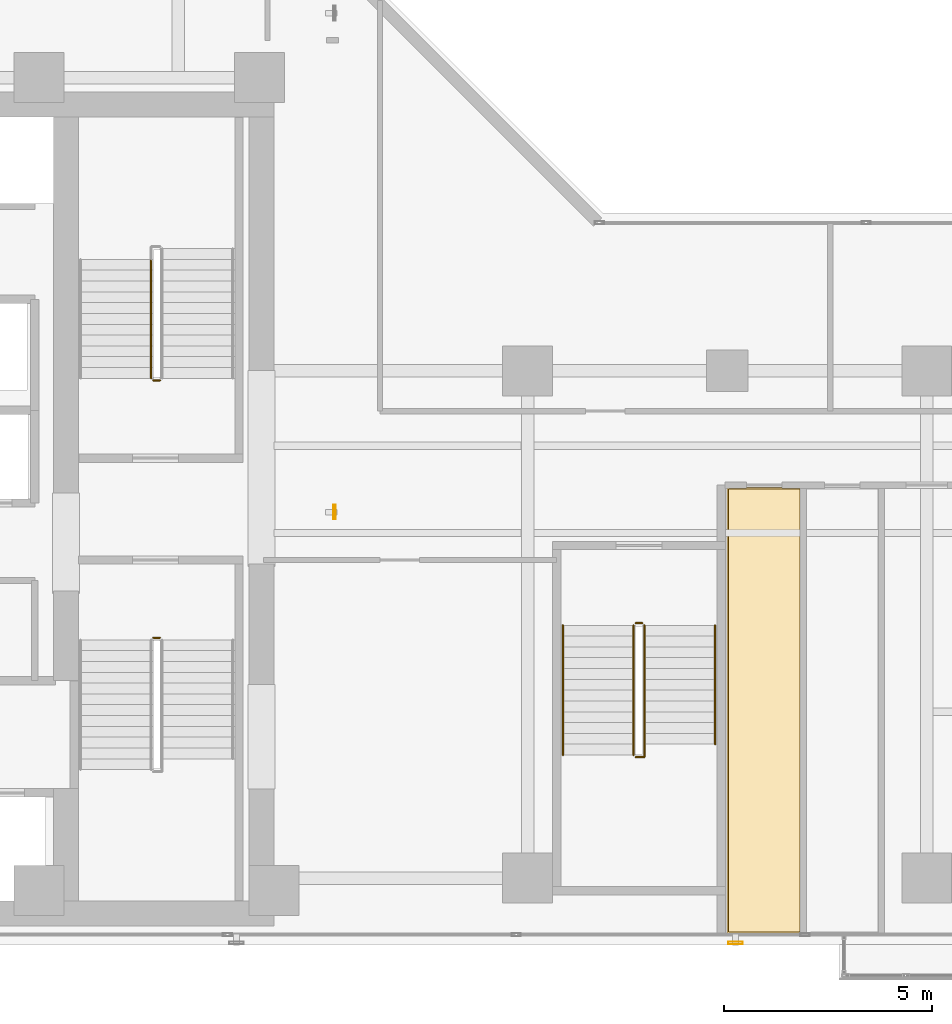
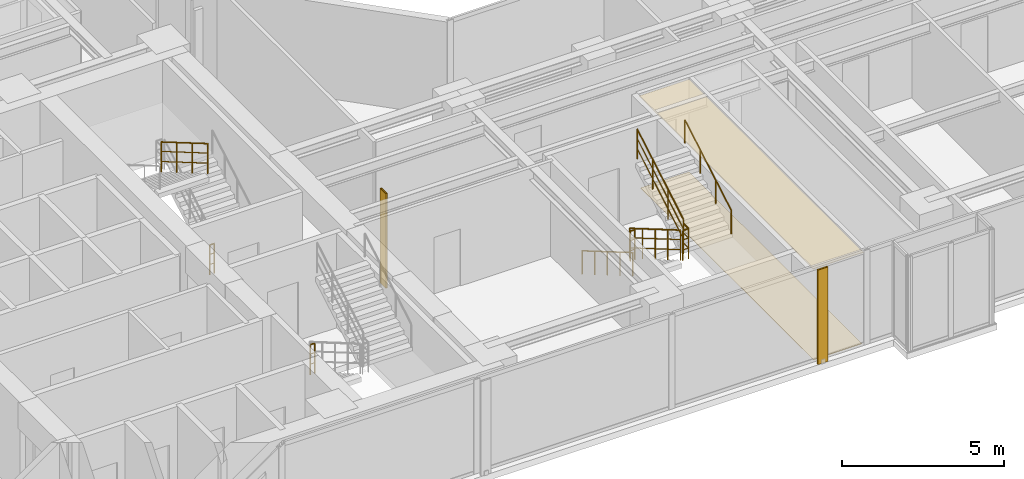
# One storey, part 25 of 28: 9 railings, 2 coverings, 2 shading devices.
"""IFC4 building model written with IfcOpenShell, lengths in metres."""

from ifc_helpers import new_model, si_unit, direction, frame, origin, origin_2d, place, context, subcontext, project, spatial, polyline, hollow_rectangle, circle, outline, extrude, material, layer, layer_set, material_profile, profile_set, type_object, element, save


model = new_model("IFC4")

# Units and contexts
model_context = context("Model", 3, precision=1e-05, world=origin(), true_north=direction((0.0, 1.0)))
body_context = subcontext(model_context, "Body", "Model", "MODEL_VIEW")
ifc_project = project(units=[si_unit("LENGTHUNIT", "METRE"), si_unit("AREAUNIT", "SQUARE_METRE"), si_unit("VOLUMEUNIT", "CUBIC_METRE"), si_unit("PLANEANGLEUNIT", "RADIAN"), si_unit("MASSUNIT", "GRAM", prefix="KILO")], contexts=[model_context])

# Site, building, storey
site_placement = place(None, origin())
site = spatial("IfcSite", under=ifc_project, at=site_placement, CompositionType="ELEMENT")
building_placement = place(site_placement, origin())
building = spatial("IfcBuilding", under=site, at=building_placement, Name="Kolvaren Waterfront Exchange", CompositionType="ELEMENT")
storey_placement = place(building_placement, frame((0.0, 0.0, 146.199951171875)))
storey = spatial("IfcBuildingStorey", under=building, at=storey_placement, Name="L37", CompositionType="ELEMENT", Elevation=146.199951171875)

# Covering
ifc_material_1 = material(Name="Mineral fibre acoustic ceiling tile")
ifc_layer_1 = layer(ifc_material_1, 0.02490234375, Name="Mineral fibre acoustic ceiling tile")
ifc_layer_set_1 = layer_set([ifc_layer_1], Name="Mineral fibre acoustic ceiling tile")
covering_type_1 = type_object("IfcCoveringType", Name="ARC-CEIL-ACOUSTIC-25", PredefinedType="CEILING", material=ifc_layer_set_1)
covering_1_placement = place(storey_placement, frame((0.0, 0.0, 3.445068359375)))
element("IfcCovering", 1, at=covering_1_placement, inside=storey, type_object=covering_type_1, Name="L37 acoustic suspended ceiling 2", PredefinedType="CEILING", context=body_context, shape_type="SweptSolid", body=[
    extrude(outline(polyline([(33.784912109375, 3.864990234375), (33.784912109375, 14.594970703125), (31.9951171875, 14.594970703125), (31.9951171875, 13.35009765625), (32.0, 13.35009765625), (32.0, 4.800048828125), (31.9951171875, 4.800048828125), (31.9951171875, 3.864990234375), (33.784912109375, 3.864990234375)])), origin(), (0.0, 0.0, 1.0), 0.02490234375),
])

# Shading devices
ifc_material_2 = material(Name="Anodised bronze aluminium 6063-T6", Category="aluminium")
ifc_material_profile = material_profile(ifc_material_2, hollow_rectangle(XDim=0.06005859375, YDim=0.35009765625, WallThickness=0.0048828125, at=origin_2d()), Name="BRZ-FIN-350x60x5")
ifc_profile_set = profile_set([ifc_material_profile], Name="Anodised bronze aluminium 6063-T6")
shading_device_type = type_object("IfcShadingDeviceType", Name="ARC-FIN-350", PredefinedType="USERDEFINED", material=ifc_profile_set)
for number, where, z_axis, x_axis, name in (
    (2, (32.199951171875, 3.639892578125, 0.0), (0.0, 0.0, 1.0), (0.0, -1.0, 0.0), "L37 anodised bronze solar shading fin FIN-L37-S3"),
    (3, (22.56005859375, 14.0, 0.0), (0.0, 0.0, 1.0), (1.0, 0.0, 0.0), "L37 anodised bronze solar shading fin FIN-L37-E1"),
):
    element("IfcShadingDevice", number, at=place(storey_placement, frame(where, z_axis=z_axis, x_axis=x_axis)), inside=storey, type_object=shading_device_type, Name=name, ObjectType="SOLAR FIN", PredefinedType="USERDEFINED", context=body_context, shape_type="SweptSolid", body=[
        extrude(hollow_rectangle(XDim=0.06005859375, YDim=0.35009765625, WallThickness=0.0048828125, at=origin_2d()), origin(), (0.0, 0.0, 1.0), 3.56005859375),
    ])

# Covering
ifc_material_3 = material(Name="Slip-resistant porcelain tile")
ifc_layer_2 = layer(ifc_material_3, 0.014892578125, Name="Slip-resistant porcelain tile")
ifc_layer_set_2 = layer_set([ifc_layer_2], Name="Slip-resistant porcelain tile")
covering_type_2 = type_object("IfcCoveringType", Name="ARC-FLR-PORC-15", PredefinedType="FLOORING", material=ifc_layer_set_2)
covering_2_placement = place(storey_placement, origin())
element("IfcCovering", 4, at=covering_2_placement, inside=storey, type_object=covering_type_2, Name="L37 floor finish 2", PredefinedType="FLOORING", context=body_context, shape_type="SweptSolid", body=[
    extrude(outline(polyline([(32.030029296875, 14.56005859375), (32.030029296875, 3.89990234375), (33.75, 3.89990234375), (33.75, 14.56005859375), (32.030029296875, 14.56005859375)])), origin(), (0.0, 0.0, 1.0), 0.01513671875),
])

# Railings
ifc_material_4 = material(Name="Stainless steel 316", Category="steel")
railing_type_1 = type_object("IfcRailingType", Name="ARC-GUARD-STAIR", PredefinedType="GUARDRAIL", material=ifc_material_4)
railing_1_placement = place(storey_placement, frame((18.199951171875, 10.97998046875, 0.0)))
element("IfcRailing", 5, at=railing_1_placement, inside=storey, type_object=railing_type_1, Name="L37 ST1 stair guard 4", PredefinedType="GUARDRAIL", context=body_context, shape_type="SweptSolid", body=[
    extrude(circle(Radius=0.02392578125, at=origin_2d()), frame((0.0, 0.0, 1.1259765625), z_axis=(1.0, 0.0, 0.0), x_axis=(0.0, 1.0, 0.0)), (0.0, 0.0, 1.0), 0.16015625),
    extrude(circle(Radius=0.01611328125, at=origin_2d()), frame((0.0, 0.0, 0.390869140625), z_axis=(1.0, 0.0, 0.0), x_axis=(0.0, 1.0, 0.0)), (0.0, 0.0, 1.0), 0.16015625),
    extrude(circle(Radius=0.01611328125, at=origin_2d()), frame((0.0, 0.0, 0.7705078125), z_axis=(1.0, 0.0, 0.0), x_axis=(0.0, 1.0, 0.0)), (0.0, 0.0, 1.0), 0.16015625),
    extrude(circle(Radius=0.02099609375, at=origin_2d()), origin(), (0.0, 0.0, 1.0), 1.101806640625),
    extrude(circle(Radius=0.02099609375, at=origin_2d()), frame((0.16015625, 0.0, 0.0)), (0.0, 0.0, 1.0), 1.101806640625),
])
railing_2_placement = place(storey_placement, frame((18.14990234375, 20.080078125, 2.1279296875)))
element("IfcRailing", 6, at=railing_2_placement, inside=storey, type_object=railing_type_1, Name="L37 ST2 stair guard 3", PredefinedType="GUARDRAIL", context=body_context, shape_type="SweptSolid", body=[
    extrude(circle(Radius=0.02392578125, at=origin_2d()), frame((0.0, 0.0, 1.1259765625), z_axis=(0.0, -0.863289384635, 0.504709261235), x_axis=(1.0, 0.0, 0.0)), (0.0, 0.0, 1.0), 3.31298828125),
    extrude(circle(Radius=0.01611328125, at=origin_2d()), frame((0.0, 0.0, 0.390869140625), z_axis=(0.0, -0.863289384635, 0.504709261235), x_axis=(1.0, 0.0, 0.0)), (0.0, 0.0, 1.0), 3.31298828125),
    extrude(circle(Radius=0.01611328125, at=origin_2d()), frame((0.0, 0.0, 0.7705078125), z_axis=(0.0, -0.863289384635, 0.504709261235), x_axis=(1.0, 0.0, 0.0)), (0.0, 0.0, 1.0), 3.31298828125),
    extrude(circle(Radius=0.02099609375, at=origin_2d()), origin(), (0.0, 0.0, 1.0), 1.101806640625),
    extrude(circle(Radius=0.02099609375, at=origin_2d()), frame((0.0, -0.953369140625, 0.557373046875)), (0.0, 0.0, 1.0), 1.101806640625),
    extrude(circle(Radius=0.02099609375, at=origin_2d()), frame((0.0, -1.90673828125, 1.11474609375)), (0.0, 0.0, 1.0), 1.101806640625),
    extrude(circle(Radius=0.02099609375, at=origin_2d()), frame((0.0, -2.860107421875, 1.672119140625)), (0.0, 0.0, 1.0), 1.101806640625),
])
railing_3_placement = place(storey_placement, frame((18.360107421875, 17.169921875, 0.0)))
element("IfcRailing", 7, at=railing_3_placement, inside=storey, type_object=railing_type_1, Name="L37 ST2 stair guard 4", PredefinedType="GUARDRAIL", context=body_context, shape_type="SweptSolid", body=[
    extrude(circle(Radius=0.02392578125, at=origin_2d()), frame((0.0, 0.0, 1.1259765625), z_axis=(-1.0, 0.0, 0.0), x_axis=(0.0, -1.0, 0.0)), (0.0, 0.0, 1.0), 0.16015625),
    extrude(circle(Radius=0.01611328125, at=origin_2d()), frame((0.0, 0.0, 0.390869140625), z_axis=(-1.0, 0.0, 0.0), x_axis=(0.0, -1.0, 0.0)), (0.0, 0.0, 1.0), 0.16015625),
    extrude(circle(Radius=0.01611328125, at=origin_2d()), frame((0.0, 0.0, 0.7705078125), z_axis=(-1.0, 0.0, 0.0), x_axis=(0.0, -1.0, 0.0)), (0.0, 0.0, 1.0), 0.16015625),
    extrude(circle(Radius=0.02099609375, at=origin_2d()), origin(), (0.0, 0.0, 1.0), 1.101806640625),
    extrude(circle(Radius=0.02099609375, at=origin_2d()), frame((-0.16015625, 0.0, 0.0)), (0.0, 0.0, 1.0), 1.101806640625),
])
railing_4_placement = place(storey_placement, frame((29.75, 11.280029296875, 0.152099609375)))
element("IfcRailing", 8, at=railing_4_placement, inside=storey, type_object=railing_type_1, Name="L37 ST3 stair guard 1", PredefinedType="GUARDRAIL", context=body_context, shape_type="SweptSolid", body=[
    extrude(circle(Radius=0.02392578125, at=origin_2d()), frame((0.0, 0.0, 1.1259765625), z_axis=(0.0, -0.86330811405, 0.504677223793), x_axis=(1.0, 0.0, 0.0)), (0.0, 0.0, 1.0), 3.6142578125),
    extrude(circle(Radius=0.01611328125, at=origin_2d()), frame((0.0, 0.0, 0.390869140625), z_axis=(0.0, -0.86330811405, 0.504677223793), x_axis=(1.0, 0.0, 0.0)), (0.0, 0.0, 1.0), 3.6142578125),
    extrude(circle(Radius=0.01611328125, at=origin_2d()), frame((0.0, 0.0, 0.7705078125), z_axis=(0.0, -0.86330811405, 0.504677223793), x_axis=(1.0, 0.0, 0.0)), (0.0, 0.0, 1.0), 3.6142578125),
    extrude(circle(Radius=0.02099609375, at=origin_2d()), origin(), (0.0, 0.0, 1.0), 1.101806640625),
    extrude(circle(Radius=0.02099609375, at=origin_2d()), frame((0.0, -0.780029296875, 0.4560546875)), (0.0, 0.0, 1.0), 1.101806640625),
    extrude(circle(Radius=0.02099609375, at=origin_2d()), frame((0.0, -1.56005859375, 0.912109375)), (0.0, 0.0, 1.0), 1.101806640625),
    extrude(circle(Radius=0.02099609375, at=origin_2d()), frame((0.0, -2.340087890625, 1.367919921875)), (0.0, 0.0, 1.0), 1.101806640625),
    extrude(circle(Radius=0.02099609375, at=origin_2d()), frame((0.0, -3.1201171875, 1.823974609375)), (0.0, 0.0, 1.0), 1.101806640625),
])
railing_5_placement = place(storey_placement, frame((29.800048828125, 8.110107421875, 1.97607421875)))
element("IfcRailing", 9, at=railing_5_placement, inside=storey, type_object=railing_type_1, Name="L37 ST3 stair guard 2", PredefinedType="GUARDRAIL", context=body_context, shape_type="SweptSolid", body=[
    extrude(circle(Radius=0.02392578125, at=origin_2d()), frame((0.0, 0.0, 1.1259765625), z_axis=(1.0, 0.0, 0.0), x_axis=(0.0, 1.0, 0.0)), (0.0, 0.0, 1.0), 0.2099609375),
    extrude(circle(Radius=0.01611328125, at=origin_2d()), frame((0.0, 0.0, 0.390869140625), z_axis=(1.0, 0.0, 0.0), x_axis=(0.0, 1.0, 0.0)), (0.0, 0.0, 1.0), 0.2099609375),
    extrude(circle(Radius=0.01611328125, at=origin_2d()), frame((0.0, 0.0, 0.7705078125), z_axis=(1.0, 0.0, 0.0), x_axis=(0.0, 1.0, 0.0)), (0.0, 0.0, 1.0), 0.2099609375),
    extrude(circle(Radius=0.02392578125, at=origin_2d()), frame((0.2099609375, 0.0, 1.1259765625), z_axis=(0.0, 1.0, 0.0), x_axis=(-1.0, 0.0, 0.0)), (0.0, 0.0, 1.0), 0.309814453125),
    extrude(circle(Radius=0.01611328125, at=origin_2d()), frame((0.2099609375, 0.0, 0.390869140625), z_axis=(0.0, 1.0, 0.0), x_axis=(-1.0, 0.0, 0.0)), (0.0, 0.0, 1.0), 0.309814453125),
    extrude(circle(Radius=0.01611328125, at=origin_2d()), frame((0.2099609375, 0.0, 0.7705078125), z_axis=(0.0, 1.0, 0.0), x_axis=(-1.0, 0.0, 0.0)), (0.0, 0.0, 1.0), 0.309814453125),
    extrude(circle(Radius=0.02099609375, at=origin_2d()), origin(), (0.0, 0.0, 1.0), 1.101806640625),
    extrude(circle(Radius=0.02099609375, at=origin_2d()), frame((0.2099609375, 0.0, 0.0)), (0.0, 0.0, 1.0), 1.101806640625),
    extrude(circle(Radius=0.02099609375, at=origin_2d()), frame((0.2099609375, 0.309814453125, 0.0)), (0.0, 0.0, 1.0), 1.101806640625),
])
railing_6_placement = place(storey_placement, frame((30.010009765625, 8.419921875, 2.1279296875)))
element("IfcRailing", 10, at=railing_6_placement, inside=storey, type_object=railing_type_1, Name="L37 ST3 stair guard 3", PredefinedType="GUARDRAIL", context=body_context, shape_type="SweptSolid", body=[
    extrude(circle(Radius=0.02392578125, at=origin_2d()), frame((0.0, 0.0, 1.1259765625), z_axis=(0.0, 0.863289384635, 0.504709261235), x_axis=(-1.0, 0.0, 0.0)), (0.0, 0.0, 1.0), 3.31298828125),
    extrude(circle(Radius=0.01611328125, at=origin_2d()), frame((0.0, 0.0, 0.390869140625), z_axis=(0.0, 0.863289384635, 0.504709261235), x_axis=(-1.0, 0.0, 0.0)), (0.0, 0.0, 1.0), 3.31298828125),
    extrude(circle(Radius=0.01611328125, at=origin_2d()), frame((0.0, 0.0, 0.7705078125), z_axis=(0.0, 0.863289384635, 0.504709261235), x_axis=(-1.0, 0.0, 0.0)), (0.0, 0.0, 1.0), 3.31298828125),
    extrude(circle(Radius=0.02099609375, at=origin_2d()), origin(), (0.0, 0.0, 1.0), 1.101806640625),
    extrude(circle(Radius=0.02099609375, at=origin_2d()), frame((0.0, 0.953369140625, 0.557373046875)), (0.0, 0.0, 1.0), 1.101806640625),
    extrude(circle(Radius=0.02099609375, at=origin_2d()), frame((0.0, 1.90673828125, 1.11474609375)), (0.0, 0.0, 1.0), 1.101806640625),
    extrude(circle(Radius=0.02099609375, at=origin_2d()), frame((0.0, 2.860107421875, 1.672119140625)), (0.0, 0.0, 1.0), 1.101806640625),
])
railing_7_placement = place(storey_placement, frame((29.800048828125, 11.330078125, 0.0)))
element("IfcRailing", 11, at=railing_7_placement, inside=storey, type_object=railing_type_1, Name="L37 ST3 stair guard 4", PredefinedType="GUARDRAIL", context=body_context, shape_type="SweptSolid", body=[
    extrude(circle(Radius=0.02392578125, at=origin_2d()), frame((0.0, 0.0, 1.1259765625), z_axis=(1.0, 0.0, 0.0), x_axis=(0.0, 1.0, 0.0)), (0.0, 0.0, 1.0), 0.159912109375),
    extrude(circle(Radius=0.01611328125, at=origin_2d()), frame((0.0, 0.0, 0.390869140625), z_axis=(1.0, 0.0, 0.0), x_axis=(0.0, 1.0, 0.0)), (0.0, 0.0, 1.0), 0.159912109375),
    extrude(circle(Radius=0.01611328125, at=origin_2d()), frame((0.0, 0.0, 0.7705078125), z_axis=(1.0, 0.0, 0.0), x_axis=(0.0, 1.0, 0.0)), (0.0, 0.0, 1.0), 0.159912109375),
    extrude(circle(Radius=0.02099609375, at=origin_2d()), origin(), (0.0, 0.0, 1.0), 1.101806640625),
    extrude(circle(Radius=0.02099609375, at=origin_2d()), frame((0.159912109375, 0.0, 0.0)), (0.0, 0.0, 1.0), 1.101806640625),
])
railing_type_2 = type_object("IfcRailingType", Name="ARC-HANDRAIL-900", PredefinedType="HANDRAIL", material=ifc_material_4)
railing_8_placement = place(storey_placement, frame((28.050048828125, 11.280029296875, 0.152099609375)))
element("IfcRailing", 12, at=railing_8_placement, inside=storey, type_object=railing_type_2, Name="L37 ST3 stair handrail 1", PredefinedType="HANDRAIL", context=body_context, shape_type="SweptSolid", body=[
    extrude(circle(Radius=0.02392578125, at=origin_2d()), frame((0.0, 0.0, 0.8759765625), z_axis=(0.0, -0.86330811405, 0.504677223793), x_axis=(1.0, 0.0, 0.0)), (0.0, 0.0, 1.0), 3.6142578125),
    extrude(circle(Radius=0.02099609375, at=origin_2d()), origin(), (0.0, 0.0, 1.0), 0.851806640625),
    extrude(circle(Radius=0.02099609375, at=origin_2d()), frame((0.0, -0.780029296875, 0.4560546875)), (0.0, 0.0, 1.0), 0.851806640625),
    extrude(circle(Radius=0.02099609375, at=origin_2d()), frame((0.0, -1.56005859375, 0.912109375)), (0.0, 0.0, 1.0), 0.851806640625),
    extrude(circle(Radius=0.02099609375, at=origin_2d()), frame((0.0, -2.340087890625, 1.367919921875)), (0.0, 0.0, 1.0), 0.851806640625),
    extrude(circle(Radius=0.02099609375, at=origin_2d()), frame((0.0, -3.1201171875, 1.823974609375)), (0.0, 0.0, 1.0), 0.851806640625),
])
railing_9_placement = place(storey_placement, frame((31.7099609375, 8.419921875, 2.1279296875)))
element("IfcRailing", 13, at=railing_9_placement, inside=storey, type_object=railing_type_2, Name="L37 ST3 stair handrail 2", PredefinedType="HANDRAIL", context=body_context, shape_type="SweptSolid", body=[
    extrude(circle(Radius=0.02392578125, at=origin_2d()), frame((0.0, 0.0, 0.8759765625), z_axis=(0.0, 0.863289384635, 0.504709261235), x_axis=(-1.0, 0.0, 0.0)), (0.0, 0.0, 1.0), 3.31298828125),
    extrude(circle(Radius=0.02099609375, at=origin_2d()), origin(), (0.0, 0.0, 1.0), 0.851806640625),
    extrude(circle(Radius=0.02099609375, at=origin_2d()), frame((0.0, 0.953369140625, 0.557373046875)), (0.0, 0.0, 1.0), 0.851806640625),
    extrude(circle(Radius=0.02099609375, at=origin_2d()), frame((0.0, 1.90673828125, 1.11474609375)), (0.0, 0.0, 1.0), 0.851806640625),
    extrude(circle(Radius=0.02099609375, at=origin_2d()), frame((0.0, 2.860107421875, 1.672119140625)), (0.0, 0.0, 1.0), 0.851806640625),
])

save(model, "model.ifc")
